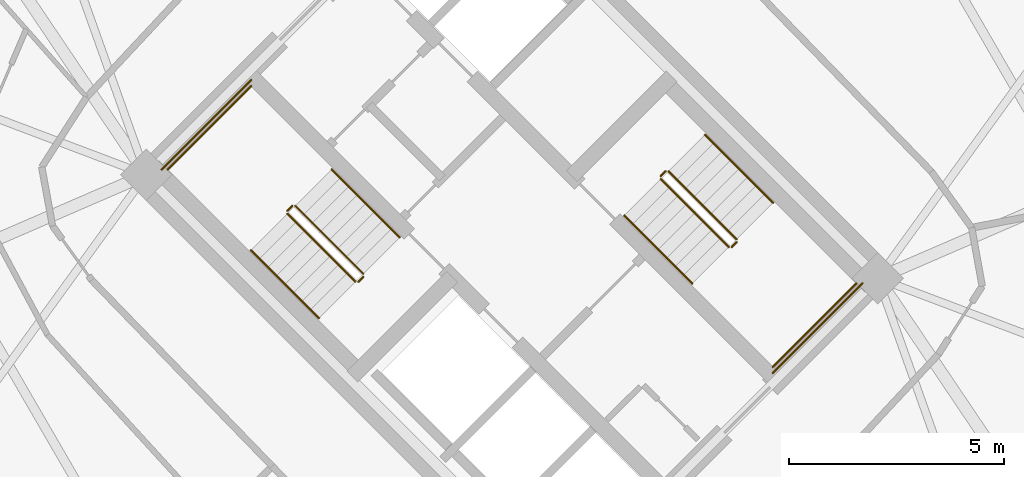
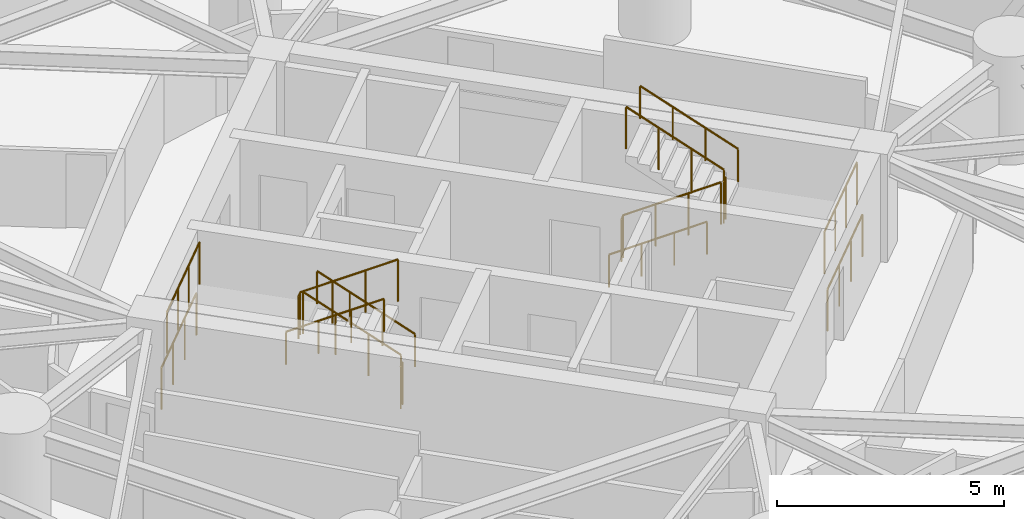
# One storey, part 14 of 15: 16 railings.
"""IFC4 building model written with IfcOpenShell, lengths in metres."""

from ifc_helpers import new_model, si_unit, direction, frame, origin, origin_2d, place, context, subcontext, project, spatial, circle, extrude, material, type_object, element, save


model = new_model("IFC4")

# Units and contexts
model_context = context("Model", 3, precision=1e-05, world=origin(), true_north=direction((0.0, 1.0)))
body_context = subcontext(model_context, "Body", "Model", "MODEL_VIEW")
ifc_project = project(units=[si_unit("LENGTHUNIT", "METRE"), si_unit("AREAUNIT", "SQUARE_METRE"), si_unit("VOLUMEUNIT", "CUBIC_METRE"), si_unit("PLANEANGLEUNIT", "RADIAN"), si_unit("MASSUNIT", "GRAM", prefix="KILO")], contexts=[model_context])

# Site, building, storey
site_placement = place(None, origin())
site = spatial("IfcSite", under=ifc_project, at=site_placement, CompositionType="ELEMENT")
building_placement = place(site_placement, origin())
building = spatial("IfcBuilding", under=site, at=building_placement, Name="Cununo Teusaquillo Station Towers", CompositionType="ELEMENT")
storey_placement = place(building_placement, frame((0.0, 0.0, 24.909912109375)))
storey = spatial("IfcBuildingStorey", under=building, at=storey_placement, Name="L06", CompositionType="ELEMENT", Elevation=24.909912109375)

# Railings
ifc_material_1 = material(Name="Steel EN 10025-2 S355J2", Category="steel")
railing_type_1 = type_object("IfcRailingType", Name="RL-INT-GUARD", PredefinedType="GUARDRAIL", material=ifc_material_1)
railing_1_placement = place(storey_placement, frame((54.03515625, 23.39697265625, 0.161865234375)))
element("IfcRailing", 1, at=railing_1_placement, inside=storey, type_object=railing_type_1, Name="L06 ST-T2-1 stair guard 1", PredefinedType="GUARDRAIL", context=body_context, shape_type="SweptSolid", body=[
    extrude(circle(Radius=0.02392578125, at=origin_2d()), frame((0.0, 0.0, 1.1259765625), z_axis=(-0.612361259024, 0.612361259024, 0.500027376144), x_axis=(-0.707106781187, -0.707106781187, 0.0)), (0.0, 0.0, 1.0), 2.586181640625),
    extrude(circle(Radius=0.02099609375, at=origin_2d()), origin(), (0.0, 0.0, 1.0), 1.101806640625),
    extrude(circle(Radius=0.02099609375, at=origin_2d()), frame((-0.52783203125, 0.52783203125, 0.43115234375)), (0.0, 0.0, 1.0), 1.101806640625),
    extrude(circle(Radius=0.02099609375, at=origin_2d()), frame((-1.055908203125, 1.055908203125, 0.862060546875)), (0.0, 0.0, 1.0), 1.101806640625),
    extrude(circle(Radius=0.02099609375, at=origin_2d()), frame((-1.583740234375, 1.583740234375, 1.293212890625)), (0.0, 0.0, 1.0), 1.101806640625),
])
railing_2_placement = place(storey_placement, frame((52.380615234375, 24.980712890625, 1.455078125)))
element("IfcRailing", 2, at=railing_2_placement, inside=storey, type_object=railing_type_1, Name="L06 ST-T2-1 stair guard 2", PredefinedType="GUARDRAIL", context=body_context, shape_type="SweptSolid", body=[
    extrude(circle(Radius=0.02392578125, at=origin_2d()), frame((0.0, 0.0, 1.1259765625), z_axis=(-0.7078691598, -0.706343579714, 0.0), x_axis=(0.706343579714, -0.7078691598, 0.0)), (0.0, 0.0, 1.0), 0.159912109375),
    extrude(circle(Radius=0.02099609375, at=origin_2d()), origin(), (0.0, 0.0, 1.0), 1.101806640625),
    extrude(circle(Radius=0.02099609375, at=origin_2d()), frame((-0.11328125, -0.113037109375, 0.0)), (0.0, 0.0, 1.0), 1.101806640625),
])
railing_3_placement = place(storey_placement, frame((51.426025390625, 27.77392578125, 1.455078125)))
element("IfcRailing", 3, at=railing_3_placement, inside=storey, type_object=railing_type_1, Name="L06 ST-T2-1 stair guard 3", PredefinedType="GUARDRAIL", context=body_context, shape_type="SweptSolid", body=[
    extrude(circle(Radius=0.02392578125, at=origin_2d()), frame((0.0, 0.0, 1.1259765625), z_axis=(-0.707106781187, -0.707106781187, 0.0), x_axis=(0.707106781187, -0.707106781187, 0.0)), (0.0, 0.0, 1.0), 2.760009765625),
    extrude(circle(Radius=0.02099609375, at=origin_2d()), origin(), (0.0, 0.0, 1.0), 1.101806640625),
    extrude(circle(Radius=0.02099609375, at=origin_2d()), frame((-0.650634765625, -0.650634765625, 0.0)), (0.0, 0.0, 1.0), 1.101806640625),
    extrude(circle(Radius=0.02099609375, at=origin_2d()), frame((-1.301025390625, -1.301025390625, 0.0)), (0.0, 0.0, 1.0), 1.101806640625),
    extrude(circle(Radius=0.02099609375, at=origin_2d()), frame((-1.95166015625, -1.95166015625, 0.0)), (0.0, 0.0, 1.0), 1.101806640625),
])
railing_4_placement = place(storey_placement, frame((52.267333984375, 24.796875, 1.61669921875)))
element("IfcRailing", 4, at=railing_4_placement, inside=storey, type_object=railing_type_1, Name="L06 ST-T2-1 stair guard 4", PredefinedType="GUARDRAIL", context=body_context, shape_type="SweptSolid", body=[
    extrude(circle(Radius=0.02392578125, at=origin_2d()), frame((0.0, 0.0, 1.1259765625), z_axis=(0.612391349474, -0.612296961165, 0.500069261639), x_axis=(0.707052281454, 0.707161276719, 0.0)), (0.0, 0.0, 1.0), 2.586669921875),
    extrude(circle(Radius=0.02099609375, at=origin_2d()), origin(), (0.0, 0.0, 1.0), 1.101806640625),
    extrude(circle(Radius=0.02099609375, at=origin_2d()), frame((0.528076171875, -0.52783203125, 0.43115234375)), (0.0, 0.0, 1.0), 1.101806640625),
    extrude(circle(Radius=0.02099609375, at=origin_2d()), frame((1.055908203125, -1.055908203125, 0.8623046875)), (0.0, 0.0, 1.0), 1.101806640625),
    extrude(circle(Radius=0.02099609375, at=origin_2d()), frame((1.583984375, -1.583740234375, 1.29345703125)), (0.0, 0.0, 1.0), 1.101806640625),
])
railing_5_placement = place(storey_placement, frame((54.03515625, 23.326171875, 0.0)))
element("IfcRailing", 5, at=railing_5_placement, inside=storey, type_object=railing_type_1, Name="L06 ST-T2-1 stair guard 5", PredefinedType="GUARDRAIL", context=body_context, shape_type="SweptSolid", body=[
    extrude(circle(Radius=0.02392578125, at=origin_2d()), frame((0.0, 0.0, 1.1259765625), z_axis=(-0.707106781187, -0.707106781187, 0.0), x_axis=(0.707106781187, -0.707106781187, 0.0)), (0.0, 0.0, 1.0), 0.159912109375),
    extrude(circle(Radius=0.02099609375, at=origin_2d()), origin(), (0.0, 0.0, 1.0), 1.101806640625),
    extrude(circle(Radius=0.02099609375, at=origin_2d()), frame((-0.113037109375, -0.113037109375, 0.0)), (0.0, 0.0, 1.0), 1.101806640625),
])
railing_6_placement = place(storey_placement, frame((51.426025390625, 27.915283203125, 0.0)))
element("IfcRailing", 6, at=railing_6_placement, inside=storey, type_object=railing_type_1, Name="L06 ST-T2-1 stair guard 6", PredefinedType="GUARDRAIL", context=body_context, shape_type="SweptSolid", body=[
    extrude(circle(Radius=0.02392578125, at=origin_2d()), frame((0.0, 0.0, 1.1259765625), z_axis=(-0.707106781187, -0.707106781187, 0.0), x_axis=(0.707106781187, -0.707106781187, 0.0)), (0.0, 0.0, 1.0), 2.9599609375),
    extrude(circle(Radius=0.02099609375, at=origin_2d()), origin(), (0.0, 0.0, 1.0), 1.101806640625),
    extrude(circle(Radius=0.02099609375, at=origin_2d()), frame((-0.69775390625, -0.69775390625, 0.0)), (0.0, 0.0, 1.0), 1.101806640625),
    extrude(circle(Radius=0.02099609375, at=origin_2d()), frame((-1.395263671875, -1.395263671875, 0.0)), (0.0, 0.0, 1.0), 1.101806640625),
    extrude(circle(Radius=0.02099609375, at=origin_2d()), frame((-2.093017578125, -2.093017578125, 0.0)), (0.0, 0.0, 1.0), 1.101806640625),
])
railing_7_placement = place(storey_placement, frame((60.96484375, 25.60302734375, 0.161865234375)))
element("IfcRailing", 7, at=railing_7_placement, inside=storey, type_object=railing_type_1, Name="L06 ST-T2-2 stair guard 1", PredefinedType="GUARDRAIL", context=body_context, shape_type="SweptSolid", body=[
    extrude(circle(Radius=0.02392578125, at=origin_2d()), frame((0.0, 0.0, 1.1259765625), z_axis=(0.612361259024, -0.612361259024, 0.500027376144), x_axis=(0.707106781187, 0.707106781187, 0.0)), (0.0, 0.0, 1.0), 2.586181640625),
    extrude(circle(Radius=0.02099609375, at=origin_2d()), origin(), (0.0, 0.0, 1.0), 1.101806640625),
    extrude(circle(Radius=0.02099609375, at=origin_2d()), frame((0.52783203125, -0.52783203125, 0.43115234375)), (0.0, 0.0, 1.0), 1.101806640625),
    extrude(circle(Radius=0.02099609375, at=origin_2d()), frame((1.055908203125, -1.055908203125, 0.862060546875)), (0.0, 0.0, 1.0), 1.101806640625),
    extrude(circle(Radius=0.02099609375, at=origin_2d()), frame((1.583740234375, -1.583740234375, 1.293212890625)), (0.0, 0.0, 1.0), 1.101806640625),
])
railing_8_placement = place(storey_placement, frame((62.619384765625, 24.019287109375, 1.455078125)))
element("IfcRailing", 8, at=railing_8_placement, inside=storey, type_object=railing_type_1, Name="L06 ST-T2-2 stair guard 2", PredefinedType="GUARDRAIL", context=body_context, shape_type="SweptSolid", body=[
    extrude(circle(Radius=0.02392578125, at=origin_2d()), frame((0.0, 0.0, 1.1259765625), z_axis=(0.7078691598, 0.706343579714, 0.0), x_axis=(-0.706343579714, 0.7078691598, 0.0)), (0.0, 0.0, 1.0), 0.159912109375),
    extrude(circle(Radius=0.02099609375, at=origin_2d()), origin(), (0.0, 0.0, 1.0), 1.101806640625),
    extrude(circle(Radius=0.02099609375, at=origin_2d()), frame((0.11328125, 0.113037109375, 0.0)), (0.0, 0.0, 1.0), 1.101806640625),
])
railing_9_placement = place(storey_placement, frame((63.573974609375, 21.22607421875, 1.455078125)))
element("IfcRailing", 9, at=railing_9_placement, inside=storey, type_object=railing_type_1, Name="L06 ST-T2-2 stair guard 3", PredefinedType="GUARDRAIL", context=body_context, shape_type="SweptSolid", body=[
    extrude(circle(Radius=0.02392578125, at=origin_2d()), frame((0.0, 0.0, 1.1259765625), z_axis=(0.707106781187, 0.707106781187, 0.0), x_axis=(-0.707106781187, 0.707106781187, 0.0)), (0.0, 0.0, 1.0), 2.760009765625),
    extrude(circle(Radius=0.02099609375, at=origin_2d()), origin(), (0.0, 0.0, 1.0), 1.101806640625),
    extrude(circle(Radius=0.02099609375, at=origin_2d()), frame((0.650634765625, 0.650634765625, 0.0)), (0.0, 0.0, 1.0), 1.101806640625),
    extrude(circle(Radius=0.02099609375, at=origin_2d()), frame((1.301025390625, 1.301025390625, 0.0)), (0.0, 0.0, 1.0), 1.101806640625),
    extrude(circle(Radius=0.02099609375, at=origin_2d()), frame((1.95166015625, 1.95166015625, 0.0)), (0.0, 0.0, 1.0), 1.101806640625),
])
railing_10_placement = place(storey_placement, frame((62.732666015625, 24.203125, 1.61669921875)))
element("IfcRailing", 10, at=railing_10_placement, inside=storey, type_object=railing_type_1, Name="L06 ST-T2-2 stair guard 4", PredefinedType="GUARDRAIL", context=body_context, shape_type="SweptSolid", body=[
    extrude(circle(Radius=0.02392578125, at=origin_2d()), frame((0.0, 0.0, 1.1259765625), z_axis=(-0.612391349474, 0.612296961165, 0.500069261639), x_axis=(-0.707052281454, -0.707161276719, 0.0)), (0.0, 0.0, 1.0), 2.586669921875),
    extrude(circle(Radius=0.02099609375, at=origin_2d()), origin(), (0.0, 0.0, 1.0), 1.101806640625),
    extrude(circle(Radius=0.02099609375, at=origin_2d()), frame((-0.528076171875, 0.52783203125, 0.43115234375)), (0.0, 0.0, 1.0), 1.101806640625),
    extrude(circle(Radius=0.02099609375, at=origin_2d()), frame((-1.055908203125, 1.055908203125, 0.8623046875)), (0.0, 0.0, 1.0), 1.101806640625),
    extrude(circle(Radius=0.02099609375, at=origin_2d()), frame((-1.583984375, 1.583740234375, 1.29345703125)), (0.0, 0.0, 1.0), 1.101806640625),
])
railing_11_placement = place(storey_placement, frame((60.96484375, 25.673828125, 0.0)))
element("IfcRailing", 11, at=railing_11_placement, inside=storey, type_object=railing_type_1, Name="L06 ST-T2-2 stair guard 5", PredefinedType="GUARDRAIL", context=body_context, shape_type="SweptSolid", body=[
    extrude(circle(Radius=0.02392578125, at=origin_2d()), frame((0.0, 0.0, 1.1259765625), z_axis=(0.707106781187, 0.707106781187, 0.0), x_axis=(-0.707106781187, 0.707106781187, 0.0)), (0.0, 0.0, 1.0), 0.159912109375),
    extrude(circle(Radius=0.02099609375, at=origin_2d()), origin(), (0.0, 0.0, 1.0), 1.101806640625),
    extrude(circle(Radius=0.02099609375, at=origin_2d()), frame((0.113037109375, 0.113037109375, 0.0)), (0.0, 0.0, 1.0), 1.101806640625),
])
railing_12_placement = place(storey_placement, frame((63.573974609375, 21.084716796875, 0.0)))
element("IfcRailing", 12, at=railing_12_placement, inside=storey, type_object=railing_type_1, Name="L06 ST-T2-2 stair guard 6", PredefinedType="GUARDRAIL", context=body_context, shape_type="SweptSolid", body=[
    extrude(circle(Radius=0.02392578125, at=origin_2d()), frame((0.0, 0.0, 1.1259765625), z_axis=(0.707106781187, 0.707106781187, 0.0), x_axis=(-0.707106781187, 0.707106781187, 0.0)), (0.0, 0.0, 1.0), 2.9599609375),
    extrude(circle(Radius=0.02099609375, at=origin_2d()), origin(), (0.0, 0.0, 1.0), 1.101806640625),
    extrude(circle(Radius=0.02099609375, at=origin_2d()), frame((0.69775390625, 0.69775390625, 0.0)), (0.0, 0.0, 1.0), 1.101806640625),
    extrude(circle(Radius=0.02099609375, at=origin_2d()), frame((1.395263671875, 1.395263671875, 0.0)), (0.0, 0.0, 1.0), 1.101806640625),
    extrude(circle(Radius=0.02099609375, at=origin_2d()), frame((2.093017578125, 2.093017578125, 0.0)), (0.0, 0.0, 1.0), 1.101806640625),
])
ifc_material_2 = material(Name="Steel EN 10025-2 S355J2", Category="steel")
railing_type_2 = type_object("IfcRailingType", Name="RL-INT-HRAIL", PredefinedType="HANDRAIL", material=ifc_material_2)
railing_13_placement = place(storey_placement, frame((54.8837890625, 24.245361328125, 0.161865234375)))
element("IfcRailing", 13, at=railing_13_placement, inside=storey, type_object=railing_type_2, Name="L06 ST-T2-1 stair handrail 1", PredefinedType="HANDRAIL", context=body_context, shape_type="SweptSolid", body=[
    extrude(circle(Radius=0.02392578125, at=origin_2d()), frame((0.0, 0.0, 0.8759765625), z_axis=(-0.612384857071, 0.612384857071, 0.499969572735), x_axis=(-0.707106781187, -0.707106781187, 0.0)), (0.0, 0.0, 1.0), 2.586669921875),
    extrude(circle(Radius=0.02099609375, at=origin_2d()), origin(), (0.0, 0.0, 1.0), 0.851806640625),
    extrude(circle(Radius=0.02099609375, at=origin_2d()), frame((-0.528076171875, 0.528076171875, 0.43115234375)), (0.0, 0.0, 1.0), 0.851806640625),
    extrude(circle(Radius=0.02099609375, at=origin_2d()), frame((-1.055908203125, 1.055908203125, 0.862060546875)), (0.0, 0.0, 1.0), 0.851806640625),
    extrude(circle(Radius=0.02099609375, at=origin_2d()), frame((-1.583984375, 1.583984375, 1.293212890625)), (0.0, 0.0, 1.0), 0.851806640625),
])
railing_14_placement = place(storey_placement, frame((51.4189453125, 23.948486328125, 1.61669921875)))
element("IfcRailing", 14, at=railing_14_placement, inside=storey, type_object=railing_type_2, Name="L06 ST-T2-1 stair handrail 2", PredefinedType="HANDRAIL", context=body_context, shape_type="SweptSolid", body=[
    extrude(circle(Radius=0.02392578125, at=origin_2d()), frame((0.0, 0.0, 0.8759765625), z_axis=(0.612355957468, -0.612355957468, 0.500040361077), x_axis=(0.707106781187, 0.707106781187, 0.0)), (0.0, 0.0, 1.0), 2.586669921875),
    extrude(circle(Radius=0.02099609375, at=origin_2d()), origin(), (0.0, 0.0, 1.0), 0.851806640625),
    extrude(circle(Radius=0.02099609375, at=origin_2d()), frame((0.528076171875, -0.528076171875, 0.43115234375)), (0.0, 0.0, 1.0), 0.851806640625),
    extrude(circle(Radius=0.02099609375, at=origin_2d()), frame((1.055908203125, -1.055908203125, 0.8623046875)), (0.0, 0.0, 1.0), 0.851806640625),
    extrude(circle(Radius=0.02099609375, at=origin_2d()), frame((1.583984375, -1.583984375, 1.29345703125)), (0.0, 0.0, 1.0), 0.851806640625),
])
railing_15_placement = place(storey_placement, frame((60.1162109375, 24.754638671875, 0.161865234375)))
element("IfcRailing", 15, at=railing_15_placement, inside=storey, type_object=railing_type_2, Name="L06 ST-T2-2 stair handrail 1", PredefinedType="HANDRAIL", context=body_context, shape_type="SweptSolid", body=[
    extrude(circle(Radius=0.02392578125, at=origin_2d()), frame((0.0, 0.0, 0.8759765625), z_axis=(0.612384857071, -0.612384857071, 0.499969572735), x_axis=(0.707106781187, 0.707106781187, 0.0)), (0.0, 0.0, 1.0), 2.586669921875),
    extrude(circle(Radius=0.02099609375, at=origin_2d()), origin(), (0.0, 0.0, 1.0), 0.851806640625),
    extrude(circle(Radius=0.02099609375, at=origin_2d()), frame((0.528076171875, -0.528076171875, 0.43115234375)), (0.0, 0.0, 1.0), 0.851806640625),
    extrude(circle(Radius=0.02099609375, at=origin_2d()), frame((1.055908203125, -1.055908203125, 0.862060546875)), (0.0, 0.0, 1.0), 0.851806640625),
    extrude(circle(Radius=0.02099609375, at=origin_2d()), frame((1.583984375, -1.583984375, 1.293212890625)), (0.0, 0.0, 1.0), 0.851806640625),
])
railing_16_placement = place(storey_placement, frame((63.5810546875, 25.051513671875, 1.61669921875)))
element("IfcRailing", 16, at=railing_16_placement, inside=storey, type_object=railing_type_2, Name="L06 ST-T2-2 stair handrail 2", PredefinedType="HANDRAIL", context=body_context, shape_type="SweptSolid", body=[
    extrude(circle(Radius=0.02392578125, at=origin_2d()), frame((0.0, 0.0, 0.8759765625), z_axis=(-0.612355957468, 0.612355957468, 0.500040361077), x_axis=(-0.707106781187, -0.707106781187, 0.0)), (0.0, 0.0, 1.0), 2.586669921875),
    extrude(circle(Radius=0.02099609375, at=origin_2d()), origin(), (0.0, 0.0, 1.0), 0.851806640625),
    extrude(circle(Radius=0.02099609375, at=origin_2d()), frame((-0.528076171875, 0.528076171875, 0.43115234375)), (0.0, 0.0, 1.0), 0.851806640625),
    extrude(circle(Radius=0.02099609375, at=origin_2d()), frame((-1.055908203125, 1.055908203125, 0.8623046875)), (0.0, 0.0, 1.0), 0.851806640625),
    extrude(circle(Radius=0.02099609375, at=origin_2d()), frame((-1.583984375, 1.583984375, 1.29345703125)), (0.0, 0.0, 1.0), 0.851806640625),
])

save(model, "model.ifc")
